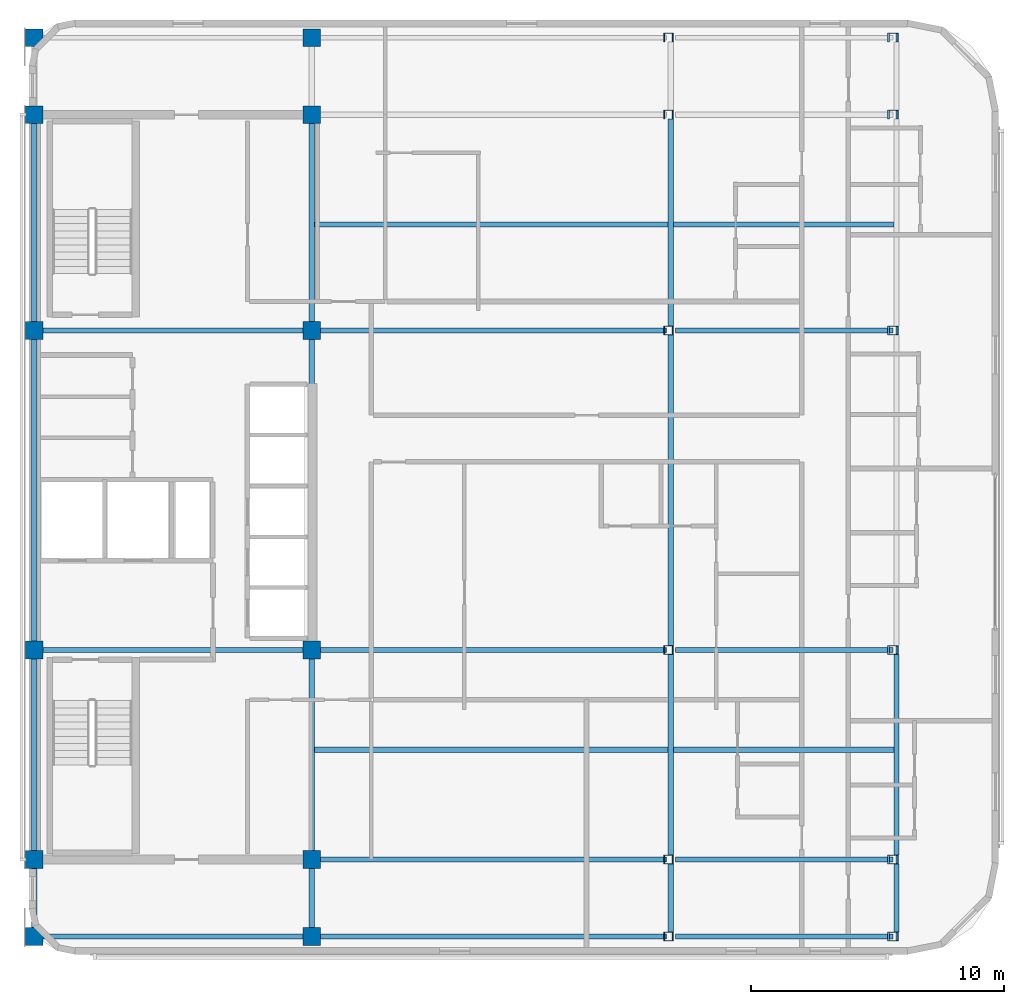
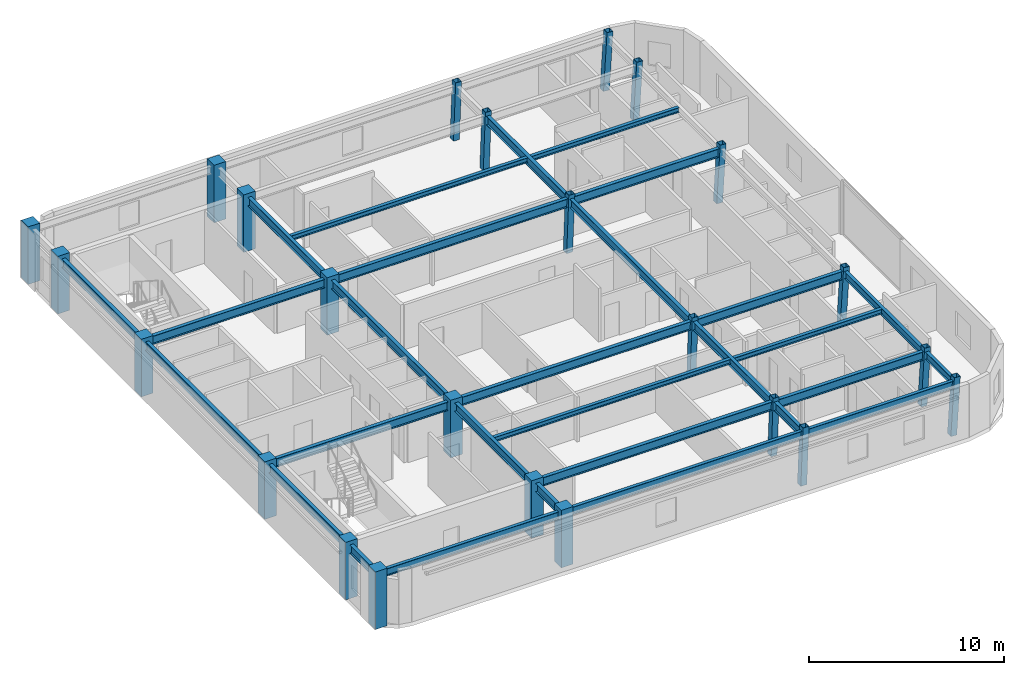
# One storey, part 1 of 10: 29 beams, 24 columns.
"""IFC4 building model written with IfcOpenShell, lengths in metres."""

from ifc_helpers import new_model, si_unit, direction, frame, origin, origin_2d, place, context, subcontext, project, spatial, rectangle, hollow_rectangle, i_section, extrude, material, material_profile, profile_set, type_object, element, save


model = new_model("IFC4")

# Units and contexts
model_context = context("Model", 3, precision=1e-05, world=origin(), true_north=direction((0.0, 1.0)))
body_context = subcontext(model_context, "Body", "Model", "MODEL_VIEW")
ifc_project = project(units=[si_unit("LENGTHUNIT", "METRE"), si_unit("AREAUNIT", "SQUARE_METRE"), si_unit("VOLUMEUNIT", "CUBIC_METRE"), si_unit("PLANEANGLEUNIT", "RADIAN"), si_unit("MASSUNIT", "GRAM", prefix="KILO")], contexts=[model_context])

# Site, building, storey
site_placement = place(None, origin())
site = spatial("IfcSite", under=ifc_project, at=site_placement, CompositionType="ELEMENT")
building_placement = place(site_placement, origin())
building = spatial("IfcBuilding", under=site, at=building_placement, Name="Ochreholt Gables", CompositionType="ELEMENT")
storey_placement = place(building_placement, frame((0.0, 0.0, 267.60009765625)))
storey = spatial("IfcBuildingStorey", under=building, at=storey_placement, Name="L70", CompositionType="ELEMENT", Elevation=267.60009765625)

# Columns
ifc_material_1 = material(Name="Steel CSA G40.21 350W", Category="steel")
ifc_material_profile_1 = material_profile(ifc_material_1, hollow_rectangle(XDim=0.35595703125, YDim=0.35595703125, WallThickness=0.01611328125, at=origin_2d()), Name="HSS356X356X16")
ifc_profile_set_1 = profile_set([ifc_material_profile_1], Name="Steel CSA G40.21 350W")
column_type_1 = type_object("IfcColumnType", Name="COL-HSS356-RAK", PredefinedType="COLUMN", material=ifc_profile_set_1)
for number, where, z_axis, x_axis, name in (
    (1, (49.302001953125, 9.25, 0.0), (0.034973505036, 0.0, 0.999388239847), (0.0, 1.0, 0.0), "L70 Column EMY2"),
    (2, (49.302001953125, 17.550048828125, 0.0), (0.034973505036, 0.0, 0.999388239847), (0.0, 1.0, 0.0), "L70 Column EMY3"),
    (3, (49.302001953125, 30.199951171875, 0.0), (0.034973505036, 0.0, 0.999388239847), (0.0, 1.0, 0.0), "L70 Column EMY4"),
    (4, (49.302001953125, 38.75, 0.0), (0.034973505036, 0.0, 0.999388239847), (0.0, 1.0, 0.0), "L70 Column EMY5"),
):
    element("IfcColumn", number, at=place(storey_placement, frame(where, z_axis=z_axis, x_axis=x_axis)), inside=storey, type_object=column_type_1, Name=name, PredefinedType="COLUMN", context=body_context, shape_type="SweptSolid", body=[
        extrude(hollow_rectangle(XDim=0.35595703125, YDim=0.35595703125, WallThickness=0.01611328125, at=origin_2d()), origin(), (0.0, 0.0, 1.0), 3.60205078125),
    ])
ifc_material_profile_2 = material_profile(ifc_material_1, hollow_rectangle(XDim=0.35595703125, YDim=0.35595703125, WallThickness=0.01611328125, at=origin_2d()), Name="HSS356X356X16")
ifc_profile_set_2 = profile_set([ifc_material_profile_2], Name="Steel CSA G40.21 350W")
column_type_2 = type_object("IfcColumnType", Name="COL-HSS356-RAKE", PredefinedType="COLUMN", material=ifc_profile_set_2)
for number, where, z_axis, x_axis, name in (
    (5, (49.302001953125, 6.199951171875, 0.0), (0.034973505036, 0.0, 0.999388239847), (0.0, 1.0, 0.0), "L70 Column EMY1"),
    (6, (49.302001953125, 41.800048828125, 0.0), (0.034973505036, 0.0, 0.999388239847), (0.0, 1.0, 0.0), "L70 Column EMY6"),
):
    element("IfcColumn", number, at=place(storey_placement, frame(where, z_axis=z_axis, x_axis=x_axis)), inside=storey, type_object=column_type_2, Name=name, PredefinedType="COLUMN", context=body_context, shape_type="SweptSolid", body=[
        extrude(hollow_rectangle(XDim=0.35595703125, YDim=0.35595703125, WallThickness=0.01611328125, at=origin_2d()), origin(), (0.0, 0.0, 1.0), 3.60205078125),
    ])
for number, where, z_axis, x_axis, name in (
    (7, (58.177490234375, 6.199951171875, 0.0), (0.057955997462, 0.0, 0.998319138531), (0.0, 1.0, 0.0), "L70 Column EEY1"),
    (8, (58.177490234375, 9.25, 0.0), (0.057955997462, 0.0, 0.998319138531), (0.0, 1.0, 0.0), "L70 Column EEY2"),
    (9, (58.177490234375, 17.550048828125, 0.0), (0.057955997462, 0.0, 0.998319138531), (0.0, 1.0, 0.0), "L70 Column EEY3"),
    (10, (58.177490234375, 30.199951171875, 0.0), (0.057955997462, 0.0, 0.998319138531), (0.0, 1.0, 0.0), "L70 Column EEY4"),
    (11, (58.177490234375, 38.75, 0.0), (0.057955997462, 0.0, 0.998319138531), (0.0, 1.0, 0.0), "L70 Column EEY5"),
    (12, (58.177490234375, 41.800048828125, 0.0), (0.057955997462, 0.0, 0.998319138531), (0.0, 1.0, 0.0), "L70 Column EEY6"),
):
    element("IfcColumn", number, at=place(storey_placement, frame(where, z_axis=z_axis, x_axis=x_axis)), inside=storey, type_object=column_type_2, Name=name, PredefinedType="COLUMN", context=body_context, shape_type="SweptSolid", body=[
        extrude(hollow_rectangle(XDim=0.35595703125, YDim=0.35595703125, WallThickness=0.01611328125, at=origin_2d()), origin(), (0.0, 0.0, 1.0), 3.60595703125),
    ])
ifc_material_2 = material(Name="Concrete 50 MPa", Category="concrete")
ifc_material_profile_3 = material_profile(ifc_material_2, rectangle(XDim=0.699951171875, YDim=0.699951171875, at=origin_2d()), Name="RC700X700")
ifc_profile_set_3 = profile_set([ifc_material_profile_3], Name="Concrete 50 MPa")
column_type_3 = type_object("IfcColumnType", Name="COL-RC700-EXT", PredefinedType="COLUMN", material=ifc_profile_set_3)
for number, where, z_axis, x_axis, name in (
    (13, (24.199951171875, 6.199951171875, 0.0), (0.0, 0.0, 1.0), (1.0, 0.0, 0.0), "L70 Column C1Y1"),
    (14, (24.199951171875, 9.25, 0.0), (0.0, 0.0, 1.0), (1.0, 0.0, 0.0), "L70 Column C1Y2"),
    (15, (24.199951171875, 17.550048828125, 0.0), (0.0, 0.0, 1.0), (1.0, 0.0, 0.0), "L70 Column C1Y3"),
    (16, (24.199951171875, 30.199951171875, 0.0), (0.0, 0.0, 1.0), (1.0, 0.0, 0.0), "L70 Column C1Y4"),
    (17, (24.199951171875, 38.75, 0.0), (0.0, 0.0, 1.0), (1.0, 0.0, 0.0), "L70 Column C1Y5"),
    (18, (24.199951171875, 41.800048828125, 0.0), (0.0, 0.0, 1.0), (1.0, 0.0, 0.0), "L70 Column C1Y6"),
    (19, (35.199951171875, 6.199951171875, 0.0), (0.0, 0.0, 1.0), (1.0, 0.0, 0.0), "L70 Column C2Y1"),
    (20, (35.199951171875, 41.800048828125, 0.0), (0.0, 0.0, 1.0), (1.0, 0.0, 0.0), "L70 Column C2Y6"),
):
    element("IfcColumn", number, at=place(storey_placement, frame(where, z_axis=z_axis, x_axis=x_axis)), inside=storey, type_object=column_type_3, Name=name, PredefinedType="COLUMN", context=body_context, shape_type="SweptSolid", body=[
        extrude(rectangle(XDim=0.699951171875, YDim=0.699951171875, at=origin_2d()), origin(), (0.0, 0.0, 1.0), 3.599853515625),
    ])
ifc_material_profile_4 = material_profile(ifc_material_2, rectangle(XDim=0.699951171875, YDim=0.699951171875, at=origin_2d()), Name="RC700X700")
ifc_profile_set_4 = profile_set([ifc_material_profile_4], Name="Concrete 50 MPa")
column_type_4 = type_object("IfcColumnType", Name="COL-RC700-INT", PredefinedType="COLUMN", material=ifc_profile_set_4)
for number, where, z_axis, x_axis, name in (
    (21, (35.199951171875, 9.25, 0.0), (0.0, 0.0, 1.0), (1.0, 0.0, 0.0), "L70 Column C2Y2"),
    (22, (35.199951171875, 17.550048828125, 0.0), (0.0, 0.0, 1.0), (1.0, 0.0, 0.0), "L70 Column C2Y3"),
    (23, (35.199951171875, 30.199951171875, 0.0), (0.0, 0.0, 1.0), (1.0, 0.0, 0.0), "L70 Column C2Y4"),
    (24, (35.199951171875, 38.75, 0.0), (0.0, 0.0, 1.0), (1.0, 0.0, 0.0), "L70 Column C2Y5"),
):
    element("IfcColumn", number, at=place(storey_placement, frame(where, z_axis=z_axis, x_axis=x_axis)), inside=storey, type_object=column_type_4, Name=name, PredefinedType="COLUMN", context=body_context, shape_type="SweptSolid", body=[
        extrude(rectangle(XDim=0.699951171875, YDim=0.699951171875, at=origin_2d()), origin(), (0.0, 0.0, 1.0), 3.599853515625),
    ])

# Beams
ifc_material_profile_5 = material_profile(ifc_material_1, i_section(OverallWidth=0.2109375, OverallDepth=0.5390625, WebThickness=0.01171875, FlangeThickness=0.018798828125, at=origin_2d()), Name="W530X109")
ifc_profile_set_5 = profile_set([ifc_material_profile_5], Name="Steel CSA G40.21 350W")
beam_type_1 = type_object("IfcBeamType", Name="BM-G-W530A", PredefinedType="BEAM", material=ifc_profile_set_5)
beam_1_placement = place(storey_placement, frame((35.549560546875, 9.25, 3.09033203125), z_axis=(1.0, 0.0, 0.0), x_axis=(0.0, 1.0, 0.0)))
element("IfcBeam", 25, at=beam_1_placement, inside=storey, type_object=beam_type_1, Name="L70 Beam TBG-L70-C2EM-Y2", PredefinedType="BEAM", context=body_context, shape_type="SweptSolid", body=[
    extrude(i_section(OverallWidth=0.2109375, OverallDepth=0.5390625, WebThickness=0.01171875, FlangeThickness=0.018798828125, at=origin_2d()), origin(), (0.0, 0.0, 1.0), 13.700927734375),
])
beam_2_placement = place(storey_placement, frame((49.605712890625, 9.25, 3.09033203125), z_axis=(1.0, 0.0, 0.0), x_axis=(0.0, 1.0, 0.0)))
element("IfcBeam", 26, at=beam_2_placement, inside=storey, type_object=beam_type_1, Name="L70 Beam TBG-L70-EMEE-Y2", PredefinedType="BEAM", context=body_context, shape_type="SweptSolid", body=[
    extrude(i_section(OverallWidth=0.2109375, OverallDepth=0.5390625, WebThickness=0.01171875, FlangeThickness=0.018798828125, at=origin_2d()), origin(), (0.0, 0.0, 1.0), 8.60302734375),
])
beam_3_placement = place(storey_placement, frame((24.549560546875, 17.550048828125, 3.09033203125), z_axis=(1.0, 0.0, 0.0), x_axis=(0.0, 1.0, 0.0)))
element("IfcBeam", 27, at=beam_3_placement, inside=storey, type_object=beam_type_1, Name="L70 Beam TBG-L70-C1C2-Y3", PredefinedType="BEAM", context=body_context, shape_type="SweptSolid", body=[
    extrude(i_section(OverallWidth=0.2109375, OverallDepth=0.5390625, WebThickness=0.01171875, FlangeThickness=0.018798828125, at=origin_2d()), origin(), (0.0, 0.0, 1.0), 10.30078125),
])
beam_4_placement = place(storey_placement, frame((35.549560546875, 17.550048828125, 3.09033203125), z_axis=(1.0, 0.0, 0.0), x_axis=(0.0, 1.0, 0.0)))
element("IfcBeam", 28, at=beam_4_placement, inside=storey, type_object=beam_type_1, Name="L70 Beam TBG-L70-C2EM-Y3", PredefinedType="BEAM", context=body_context, shape_type="SweptSolid", body=[
    extrude(i_section(OverallWidth=0.2109375, OverallDepth=0.5390625, WebThickness=0.01171875, FlangeThickness=0.018798828125, at=origin_2d()), origin(), (0.0, 0.0, 1.0), 13.700927734375),
])
beam_5_placement = place(storey_placement, frame((49.605712890625, 17.550048828125, 3.09033203125), z_axis=(1.0, 0.0, 0.0), x_axis=(0.0, 1.0, 0.0)))
element("IfcBeam", 29, at=beam_5_placement, inside=storey, type_object=beam_type_1, Name="L70 Beam TBG-L70-EMEE-Y3", PredefinedType="BEAM", context=body_context, shape_type="SweptSolid", body=[
    extrude(i_section(OverallWidth=0.2109375, OverallDepth=0.5390625, WebThickness=0.01171875, FlangeThickness=0.018798828125, at=origin_2d()), origin(), (0.0, 0.0, 1.0), 8.60302734375),
])
beam_6_placement = place(storey_placement, frame((24.549560546875, 30.199951171875, 3.09033203125), z_axis=(1.0, 0.0, 0.0), x_axis=(0.0, 1.0, 0.0)))
element("IfcBeam", 30, at=beam_6_placement, inside=storey, type_object=beam_type_1, Name="L70 Beam TBG-L70-C1C2-Y4", PredefinedType="BEAM", context=body_context, shape_type="SweptSolid", body=[
    extrude(i_section(OverallWidth=0.2109375, OverallDepth=0.5390625, WebThickness=0.01171875, FlangeThickness=0.018798828125, at=origin_2d()), origin(), (0.0, 0.0, 1.0), 10.30078125),
])
beam_7_placement = place(storey_placement, frame((35.549560546875, 30.199951171875, 3.09033203125), z_axis=(1.0, 0.0, 0.0), x_axis=(0.0, 1.0, 0.0)))
element("IfcBeam", 31, at=beam_7_placement, inside=storey, type_object=beam_type_1, Name="L70 Beam TBG-L70-C2EM-Y4", PredefinedType="BEAM", context=body_context, shape_type="SweptSolid", body=[
    extrude(i_section(OverallWidth=0.2109375, OverallDepth=0.5390625, WebThickness=0.01171875, FlangeThickness=0.018798828125, at=origin_2d()), origin(), (0.0, 0.0, 1.0), 13.700927734375),
])
beam_8_placement = place(storey_placement, frame((49.605712890625, 30.199951171875, 3.09033203125), z_axis=(1.0, 0.0, 0.0), x_axis=(0.0, 1.0, 0.0)))
element("IfcBeam", 32, at=beam_8_placement, inside=storey, type_object=beam_type_1, Name="L70 Beam TBG-L70-EMEE-Y4", PredefinedType="BEAM", context=body_context, shape_type="SweptSolid", body=[
    extrude(i_section(OverallWidth=0.2109375, OverallDepth=0.5390625, WebThickness=0.01171875, FlangeThickness=0.018798828125, at=origin_2d()), origin(), (0.0, 0.0, 1.0), 8.60302734375),
])
beam_9_placement = place(storey_placement, frame((24.199951171875, 6.549560546875, 3.09033203125), z_axis=(0.0, 1.0, 0.0), x_axis=(-1.0, 0.0, 0.0)))
element("IfcBeam", 33, at=beam_9_placement, inside=storey, type_object=beam_type_1, Name="L70 Beam TBN-L70-C1-Y1Y2", PredefinedType="BEAM", context=body_context, shape_type="SweptSolid", body=[
    extrude(i_section(OverallWidth=0.2109375, OverallDepth=0.5390625, WebThickness=0.01171875, FlangeThickness=0.018798828125, at=origin_2d()), origin(), (0.0, 0.0, 1.0), 2.350830078125),
])
beam_10_placement = place(storey_placement, frame((24.199951171875, 9.599609375, 3.09033203125), z_axis=(0.0, 1.0, 0.0), x_axis=(-1.0, 0.0, 0.0)))
element("IfcBeam", 34, at=beam_10_placement, inside=storey, type_object=beam_type_1, Name="L70 Beam TBN-L70-C1-Y2Y3", PredefinedType="BEAM", context=body_context, shape_type="SweptSolid", body=[
    extrude(i_section(OverallWidth=0.2109375, OverallDepth=0.5390625, WebThickness=0.01171875, FlangeThickness=0.018798828125, at=origin_2d()), origin(), (0.0, 0.0, 1.0), 7.600830078125),
])
beam_11_placement = place(storey_placement, frame((24.199951171875, 17.899658203125, 3.09033203125), z_axis=(0.0, 1.0, 0.0), x_axis=(-1.0, 0.0, 0.0)))
element("IfcBeam", 35, at=beam_11_placement, inside=storey, type_object=beam_type_1, Name="L70 Beam TBN-L70-C1-Y3Y4", PredefinedType="BEAM", context=body_context, shape_type="SweptSolid", body=[
    extrude(i_section(OverallWidth=0.2109375, OverallDepth=0.5390625, WebThickness=0.01171875, FlangeThickness=0.018798828125, at=origin_2d()), origin(), (0.0, 0.0, 1.0), 11.95068359375),
])
beam_12_placement = place(storey_placement, frame((24.199951171875, 30.549560546875, 3.09033203125), z_axis=(0.0, 1.0, 0.0), x_axis=(-1.0, 0.0, 0.0)))
element("IfcBeam", 36, at=beam_12_placement, inside=storey, type_object=beam_type_1, Name="L70 Beam TBN-L70-C1-Y4Y5", PredefinedType="BEAM", context=body_context, shape_type="SweptSolid", body=[
    extrude(i_section(OverallWidth=0.2109375, OverallDepth=0.5390625, WebThickness=0.01171875, FlangeThickness=0.018798828125, at=origin_2d()), origin(), (0.0, 0.0, 1.0), 7.850830078125),
])
beam_13_placement = place(storey_placement, frame((35.199951171875, 6.549560546875, 3.09033203125), z_axis=(0.0, 1.0, 0.0), x_axis=(-1.0, 0.0, 0.0)))
element("IfcBeam", 37, at=beam_13_placement, inside=storey, type_object=beam_type_1, Name="L70 Beam TBN-L70-C2-Y1Y2", PredefinedType="BEAM", context=body_context, shape_type="SweptSolid", body=[
    extrude(i_section(OverallWidth=0.2109375, OverallDepth=0.5390625, WebThickness=0.01171875, FlangeThickness=0.018798828125, at=origin_2d()), origin(), (0.0, 0.0, 1.0), 2.350830078125),
])
beam_14_placement = place(storey_placement, frame((35.199951171875, 9.599609375, 3.09033203125), z_axis=(0.0, 1.0, 0.0), x_axis=(-1.0, 0.0, 0.0)))
element("IfcBeam", 38, at=beam_14_placement, inside=storey, type_object=beam_type_1, Name="L70 Beam TBN-L70-C2-Y2Y3", PredefinedType="BEAM", context=body_context, shape_type="SweptSolid", body=[
    extrude(i_section(OverallWidth=0.2109375, OverallDepth=0.5390625, WebThickness=0.01171875, FlangeThickness=0.018798828125, at=origin_2d()), origin(), (0.0, 0.0, 1.0), 7.600830078125),
])
beam_15_placement = place(storey_placement, frame((35.199951171875, 17.899658203125, 3.09033203125), z_axis=(0.0, 1.0, 0.0), x_axis=(-1.0, 0.0, 0.0)))
element("IfcBeam", 39, at=beam_15_placement, inside=storey, type_object=beam_type_1, Name="L70 Beam TBN-L70-C2-Y3Y4", PredefinedType="BEAM", context=body_context, shape_type="SweptSolid", body=[
    extrude(i_section(OverallWidth=0.2109375, OverallDepth=0.5390625, WebThickness=0.01171875, FlangeThickness=0.018798828125, at=origin_2d()), origin(), (0.0, 0.0, 1.0), 11.95068359375),
])
beam_16_placement = place(storey_placement, frame((35.199951171875, 30.549560546875, 3.09033203125), z_axis=(0.0, 1.0, 0.0), x_axis=(-1.0, 0.0, 0.0)))
element("IfcBeam", 40, at=beam_16_placement, inside=storey, type_object=beam_type_1, Name="L70 Beam TBN-L70-C2-Y4Y5", PredefinedType="BEAM", context=body_context, shape_type="SweptSolid", body=[
    extrude(i_section(OverallWidth=0.2109375, OverallDepth=0.5390625, WebThickness=0.01171875, FlangeThickness=0.018798828125, at=origin_2d()), origin(), (0.0, 0.0, 1.0), 7.850830078125),
])
beam_17_placement = place(storey_placement, frame((49.410888671875, 6.377685546875, 3.09033203125), z_axis=(0.0, 1.0, 0.0), x_axis=(-1.0, 0.0, 0.0)))
element("IfcBeam", 41, at=beam_17_placement, inside=storey, type_object=beam_type_1, Name="L70 Beam TBN-L70-EM-Y1Y2", PredefinedType="BEAM", context=body_context, shape_type="SweptSolid", body=[
    extrude(i_section(OverallWidth=0.2109375, OverallDepth=0.5390625, WebThickness=0.01171875, FlangeThickness=0.018798828125, at=origin_2d()), origin(), (0.0, 0.0, 1.0), 2.69482421875),
])
beam_18_placement = place(storey_placement, frame((49.410888671875, 9.427490234375, 3.09033203125), z_axis=(0.0, 1.0, 0.0), x_axis=(-1.0, 0.0, 0.0)))
element("IfcBeam", 42, at=beam_18_placement, inside=storey, type_object=beam_type_1, Name="L70 Beam TBN-L70-EM-Y2Y3", PredefinedType="BEAM", context=body_context, shape_type="SweptSolid", body=[
    extrude(i_section(OverallWidth=0.2109375, OverallDepth=0.5390625, WebThickness=0.01171875, FlangeThickness=0.018798828125, at=origin_2d()), origin(), (0.0, 0.0, 1.0), 7.94482421875),
])
beam_19_placement = place(storey_placement, frame((49.410888671875, 17.7275390625, 3.09033203125), z_axis=(0.0, 1.0, 0.0), x_axis=(-1.0, 0.0, 0.0)))
element("IfcBeam", 43, at=beam_19_placement, inside=storey, type_object=beam_type_1, Name="L70 Beam TBN-L70-EM-Y3Y4", PredefinedType="BEAM", context=body_context, shape_type="SweptSolid", body=[
    extrude(i_section(OverallWidth=0.2109375, OverallDepth=0.5390625, WebThickness=0.01171875, FlangeThickness=0.018798828125, at=origin_2d()), origin(), (0.0, 0.0, 1.0), 12.294921875),
])
beam_20_placement = place(storey_placement, frame((49.410888671875, 30.377685546875, 3.09033203125), z_axis=(0.0, 1.0, 0.0), x_axis=(-1.0, 0.0, 0.0)))
element("IfcBeam", 44, at=beam_20_placement, inside=storey, type_object=beam_type_1, Name="L70 Beam TBN-L70-EM-Y4Y5", PredefinedType="BEAM", context=body_context, shape_type="SweptSolid", body=[
    extrude(i_section(OverallWidth=0.2109375, OverallDepth=0.5390625, WebThickness=0.01171875, FlangeThickness=0.018798828125, at=origin_2d()), origin(), (0.0, 0.0, 1.0), 8.19482421875),
])
ifc_material_profile_6 = material_profile(ifc_material_1, i_section(OverallWidth=0.202880859375, OverallDepth=0.302978515625, WebThickness=0.007568359375, FlangeThickness=0.01318359375, at=origin_2d()), Name="W310X60")
ifc_profile_set_6 = profile_set([ifc_material_profile_6], Name="Steel CSA G40.21 350W")
beam_type_2 = type_object("IfcBeamType", Name="BM-J-W310", PredefinedType="JOIST", material=ifc_profile_set_6)
beam_21_placement = place(storey_placement, frame((35.30517578125, 13.60009765625, 3.20849609375), z_axis=(1.0, 0.0, 0.0), x_axis=(0.0, 1.0, 0.0)))
element("IfcBeam", 45, at=beam_21_placement, inside=storey, type_object=beam_type_2, Name="L70 Beam TBJ-L70-J1-C2EM", PredefinedType="JOIST", context=body_context, shape_type="SweptSolid", body=[
    extrude(i_section(OverallWidth=0.202880859375, OverallDepth=0.302978515625, WebThickness=0.007568359375, FlangeThickness=0.01318359375, at=origin_2d()), origin(), (0.0, 0.0, 1.0), 14.00048828125),
])
beam_22_placement = place(storey_placement, frame((49.515869140625, 13.60009765625, 3.20849609375), z_axis=(1.0, 0.0, 0.0), x_axis=(0.0, 1.0, 0.0)))
element("IfcBeam", 46, at=beam_22_placement, inside=storey, type_object=beam_type_2, Name="L70 Beam TBJ-L70-J1-EMEE", PredefinedType="JOIST", context=body_context, shape_type="SweptSolid", body=[
    extrude(i_section(OverallWidth=0.202880859375, OverallDepth=0.302978515625, WebThickness=0.007568359375, FlangeThickness=0.01318359375, at=origin_2d()), origin(), (0.0, 0.0, 1.0), 8.74658203125),
])
beam_23_placement = place(storey_placement, frame((35.30517578125, 34.39990234375, 3.20849609375), z_axis=(1.0, 0.0, 0.0), x_axis=(0.0, 1.0, 0.0)))
element("IfcBeam", 47, at=beam_23_placement, inside=storey, type_object=beam_type_2, Name="L70 Beam TBJ-L70-J2-C2EM", PredefinedType="JOIST", context=body_context, shape_type="SweptSolid", body=[
    extrude(i_section(OverallWidth=0.202880859375, OverallDepth=0.302978515625, WebThickness=0.007568359375, FlangeThickness=0.01318359375, at=origin_2d()), origin(), (0.0, 0.0, 1.0), 14.00048828125),
])
beam_24_placement = place(storey_placement, frame((49.515869140625, 34.39990234375, 3.20849609375), z_axis=(1.0, 0.0, 0.0), x_axis=(0.0, 1.0, 0.0)))
element("IfcBeam", 48, at=beam_24_placement, inside=storey, type_object=beam_type_2, Name="L70 Beam TBJ-L70-J2-EMEE", PredefinedType="JOIST", context=body_context, shape_type="SweptSolid", body=[
    extrude(i_section(OverallWidth=0.202880859375, OverallDepth=0.302978515625, WebThickness=0.007568359375, FlangeThickness=0.01318359375, at=origin_2d()), origin(), (0.0, 0.0, 1.0), 8.74658203125),
])
ifc_material_profile_7 = material_profile(ifc_material_1, i_section(OverallWidth=0.19189453125, OverallDepth=0.462890625, WebThickness=0.010498046875, FlangeThickness=0.017578125, at=origin_2d()), Name="W460X89")
ifc_profile_set_7 = profile_set([ifc_material_profile_7], Name="Steel CSA G40.21 350W")
beam_type_3 = type_object("IfcBeamType", Name="BM-SP-W460A", PredefinedType="SPANDREL", material=ifc_profile_set_7)
beam_25_placement = place(storey_placement, frame((24.549560546875, 6.199951171875, 3.12841796875), z_axis=(1.0, 0.0, 0.0), x_axis=(0.0, 1.0, 0.0)))
element("IfcBeam", 49, at=beam_25_placement, inside=storey, type_object=beam_type_3, Name="L70 Beam TBG-L70-C1C2-Y1", PredefinedType="SPANDREL", context=body_context, shape_type="SweptSolid", body=[
    extrude(i_section(OverallWidth=0.19189453125, OverallDepth=0.462890625, WebThickness=0.010498046875, FlangeThickness=0.017578125, at=origin_2d()), origin(), (0.0, 0.0, 1.0), 10.30078125),
])
beam_26_placement = place(storey_placement, frame((35.549560546875, 6.199951171875, 3.12841796875), z_axis=(1.0, 0.0, 0.0), x_axis=(0.0, 1.0, 0.0)))
element("IfcBeam", 50, at=beam_26_placement, inside=storey, type_object=beam_type_3, Name="L70 Beam TBG-L70-C2EM-Y1", PredefinedType="SPANDREL", context=body_context, shape_type="SweptSolid", body=[
    extrude(i_section(OverallWidth=0.19189453125, OverallDepth=0.462890625, WebThickness=0.010498046875, FlangeThickness=0.017578125, at=origin_2d()), origin(), (0.0, 0.0, 1.0), 13.700927734375),
])
beam_27_placement = place(storey_placement, frame((49.605712890625, 6.199951171875, 3.12841796875), z_axis=(1.0, 0.0, 0.0), x_axis=(0.0, 1.0, 0.0)))
element("IfcBeam", 51, at=beam_27_placement, inside=storey, type_object=beam_type_3, Name="L70 Beam TBG-L70-EMEE-Y1", PredefinedType="SPANDREL", context=body_context, shape_type="SweptSolid", body=[
    extrude(i_section(OverallWidth=0.19189453125, OverallDepth=0.462890625, WebThickness=0.010498046875, FlangeThickness=0.017578125, at=origin_2d()), origin(), (0.0, 0.0, 1.0), 8.60302734375),
])
beam_28_placement = place(storey_placement, frame((58.35791015625, 6.377685546875, 3.12841796875), z_axis=(0.0, 1.0, 0.0), x_axis=(-1.0, 0.0, 0.0)))
element("IfcBeam", 52, at=beam_28_placement, inside=storey, type_object=beam_type_3, Name="L70 Beam TBN-L70-EE-Y1Y2", PredefinedType="SPANDREL", context=body_context, shape_type="SweptSolid", body=[
    extrude(i_section(OverallWidth=0.19189453125, OverallDepth=0.462890625, WebThickness=0.010498046875, FlangeThickness=0.017578125, at=origin_2d()), origin(), (0.0, 0.0, 1.0), 2.69482421875),
])
beam_29_placement = place(storey_placement, frame((58.35791015625, 9.427490234375, 3.12841796875), z_axis=(0.0, 1.0, 0.0), x_axis=(-1.0, 0.0, 0.0)))
element("IfcBeam", 53, at=beam_29_placement, inside=storey, type_object=beam_type_3, Name="L70 Beam TBN-L70-EE-Y2Y3", PredefinedType="SPANDREL", context=body_context, shape_type="SweptSolid", body=[
    extrude(i_section(OverallWidth=0.19189453125, OverallDepth=0.462890625, WebThickness=0.010498046875, FlangeThickness=0.017578125, at=origin_2d()), origin(), (0.0, 0.0, 1.0), 7.94482421875),
])

save(model, "model.ifc")
